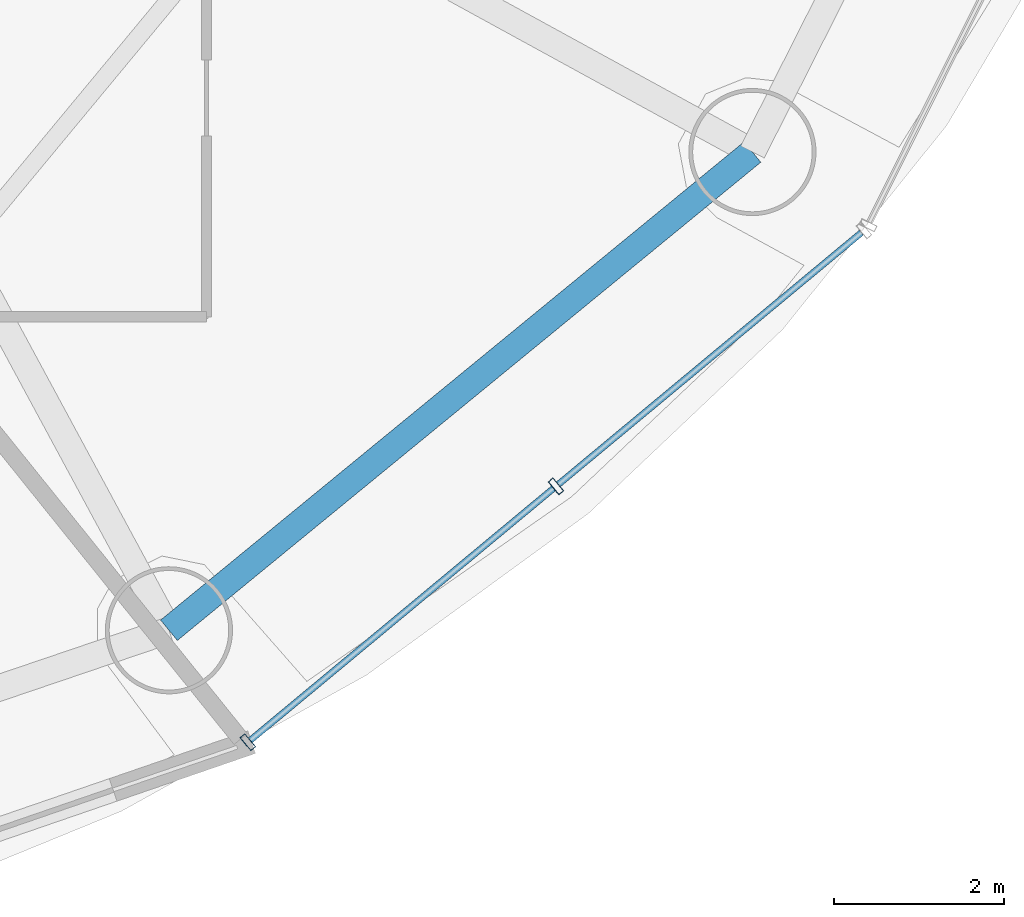
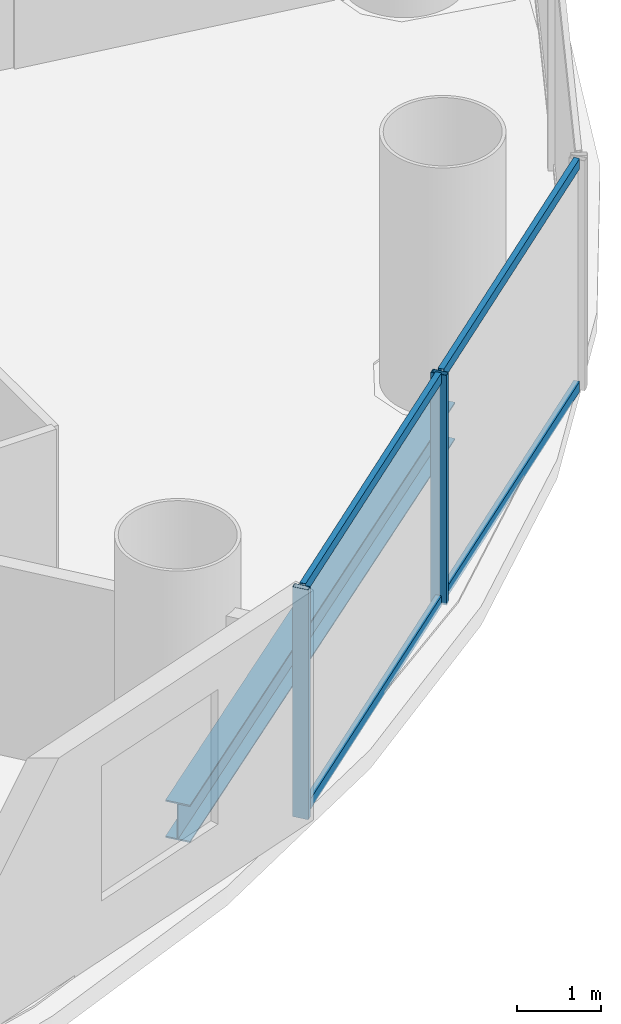
# One storey, part 11 of 29: 6 members, 1 beam, 1 element without a shape of its own.
"""IFC4 building model written with IfcOpenShell, lengths in metres."""

from ifc_helpers import new_model, si_unit, direction, frame, origin, origin_2d, place, context, subcontext, project, spatial, hollow_rectangle, i_section, extrude, source, transform, mapped, material, material_profile, profile_set, type_object, element, aggregate, save


model = new_model("IFC4")

# Units and contexts
model_context = context("Model", 3, precision=1e-05, world=origin(), true_north=direction((-0.2419218956, 0.970295726276)))
body_context = subcontext(model_context, "Body", "Model", "MODEL_VIEW")
ifc_project = project(units=[si_unit("LENGTHUNIT", "METRE"), si_unit("AREAUNIT", "SQUARE_METRE"), si_unit("VOLUMEUNIT", "CUBIC_METRE"), si_unit("PLANEANGLEUNIT", "RADIAN"), si_unit("MASSUNIT", "GRAM", prefix="KILO")], contexts=[model_context])

# Site, building, storey
site_placement = place(None, origin())
site = spatial("IfcSite", under=ifc_project, at=site_placement, CompositionType="ELEMENT")
building_placement = place(site_placement, origin())
building = spatial("IfcBuilding", under=site, at=building_placement, Name="Cobrevalo Terracotta Tower", CompositionType="ELEMENT")
storey_placement = place(building_placement, frame((0.0, 0.0, 123.0)))
storey = spatial("IfcBuildingStorey", under=building, at=storey_placement, Name="L32", CompositionType="ELEMENT", Elevation=123.0)

# Beam
ifc_material_1 = material(Name="Steel S355", Category="steel")
ifc_material_profile_1 = material_profile(ifc_material_1, i_section(OverallWidth=0.31201171875, OverallDepth=0.54296875, WebThickness=0.0126953125, FlangeThickness=0.020263671875, at=origin_2d()), Name="W 530x150")
ifc_profile_set_1 = profile_set([ifc_material_profile_1], Name="Steel S355")
beam_type = type_object("IfcBeamType", Name="Structural Spandrel W 530x150 (Steel S355)", PredefinedType="SPANDREL", material=ifc_profile_set_1)
beam_placement = place(storey_placement, frame((51.861572265625, 9.79638671875, -0.54638671875), z_axis=(0.773400923541, 0.633917196064, 0.0), x_axis=(-0.633917196064, 0.773400923541, 0.0)))
element("IfcBeam", 1, at=beam_placement, inside=storey, type_object=beam_type, Name="L32 perimeter ring spandrel 14", PredefinedType="SPANDREL", context=body_context, shape_type="SweptSolid", body=[
    extrude(i_section(OverallWidth=0.31201171875, OverallDepth=0.54296875, WebThickness=0.0126953125, FlangeThickness=0.020263671875, at=origin_2d()), origin(), (0.0, 0.0, 1.0), 8.900390625),
])

# Curtain wall, members
ifc_material_2 = material(Name="Anodized aluminium", Category="aluminium")
curtain_wall_type = type_object("IfcCurtainWallType", Name="Lower-tower unitised acoustic low-E curtain wall CW-U1", PredefinedType="NOTDEFINED", material=ifc_material_2)
curtain_wall_placement = place(storey_placement, origin())
curtain_wall = element("IfcCurtainWall", 2, at=curtain_wall_placement, inside=storey, type_object=curtain_wall_type, Name="L32 curtain wall CW-L32-S14", PredefinedType="NOTDEFINED")
ifc_material_profile_2 = material_profile(ifc_material_2, hollow_rectangle(XDim=0.074951171875, YDim=0.199951171875, WallThickness=0.0048828125, at=origin_2d()), Name="CWM 75x200")
ifc_profile_set_2 = profile_set([ifc_material_profile_2], Name="Anodized aluminium")
member_type_1 = type_object("IfcMemberType", Name="Lower/mid tower unitised mullion 75x200", PredefinedType="MULLION", material=ifc_profile_set_2)
shared_shape_1 = source(origin(), body_context, "Body", "SweptSolid", [
    extrude(hollow_rectangle(XDim=0.074951171875, YDim=0.199951171875, WallThickness=0.0048828125, at=origin_2d()), origin(), (0.0, 0.0, 1.0), 3.324951171875),
])
member_1_placement = place(storey_placement, frame((52.792236328125, 8.47509765625, 0.0), z_axis=(0.0, 0.0, 1.0), x_axis=(0.769243451658, 0.638955798222, 0.0)))
member_1 = element("IfcMember", 3, at=member_1_placement, type_object=member_type_1, Name="CW-L32-S14 vertical mullion 01", PredefinedType="MULLION", context=body_context, shape_type="MappedRepresentation", body=[
    mapped(shared_shape_1, transform((0.0, 0.0, 0.0), scale=1.0)),
])
member_2_placement = place(storey_placement, frame((56.4267578125, 11.493896484375, 0.0), z_axis=(0.0, 0.0, 1.0), x_axis=(0.769243451658, 0.638955798222, 0.0)))
member_2 = element("IfcMember", 4, at=member_2_placement, type_object=member_type_1, Name="CW-L32-S14 vertical mullion 02", PredefinedType="MULLION", context=body_context, shape_type="MappedRepresentation", body=[
    mapped(shared_shape_1, transform((0.0, 0.0, 0.0), scale=1.0)),
])
ifc_material_profile_3 = material_profile(ifc_material_2, hollow_rectangle(XDim=0.074951171875, YDim=0.14990234375, WallThickness=0.00439453125, at=origin_2d()), Name="CWT 75x150")
ifc_profile_set_3 = profile_set([ifc_material_profile_3], Name="Anodized aluminium")
member_type_2 = type_object("IfcMemberType", Name="Tower unitised aluminium transom 75x150", PredefinedType="USERDEFINED", material=ifc_profile_set_3)
shared_shape_2 = source(origin(), body_context, "Body", "SweptSolid", [
    extrude(hollow_rectangle(XDim=0.074951171875, YDim=0.14990234375, WallThickness=0.00439453125, at=origin_2d()), origin(), (0.0, 0.0, 1.0), 4.64501953125),
])
member_3_placement = place(storey_placement, frame((52.822998046875, 8.50048828125, 0.050048828125), z_axis=(0.769224156193, 0.638979027457, 0.0), x_axis=(-0.638979027457, 0.769224156193, 0.0)))
member_3 = element("IfcMember", 5, at=member_3_placement, type_object=member_type_2, Name="CW-L32-S14 transom B01-T1", ObjectType="TRANSOM", PredefinedType="USERDEFINED", context=body_context, shape_type="MappedRepresentation", body=[
    mapped(shared_shape_2, transform((0.0, 0.0, 0.0), scale=1.0)),
])
member_4_placement = place(storey_placement, frame((52.822998046875, 8.50048828125, 3.27490234375), z_axis=(0.769224156193, 0.638979027457, 0.0), x_axis=(-0.638979027457, 0.769224156193, 0.0)))
member_4 = element("IfcMember", 6, at=member_4_placement, type_object=member_type_2, Name="CW-L32-S14 transom B01-T2", ObjectType="TRANSOM", PredefinedType="USERDEFINED", context=body_context, shape_type="MappedRepresentation", body=[
    mapped(shared_shape_2, transform((0.0, 0.0, 0.0), scale=1.0)),
])
member_5_placement = place(storey_placement, frame((56.45751953125, 11.51953125, 0.050048828125), z_axis=(0.769224156193, 0.638979027457, 0.0), x_axis=(-0.638979027457, 0.769224156193, 0.0)))
member_5 = element("IfcMember", 7, at=member_5_placement, type_object=member_type_2, Name="CW-L32-S14 transom B02-T1", ObjectType="TRANSOM", PredefinedType="USERDEFINED", context=body_context, shape_type="MappedRepresentation", body=[
    mapped(shared_shape_2, transform((0.0, 0.0, 0.0), scale=1.0)),
])
member_6_placement = place(storey_placement, frame((56.45751953125, 11.51953125, 3.27490234375), z_axis=(0.769224156193, 0.638979027457, 0.0), x_axis=(-0.638979027457, 0.769224156193, 0.0)))
member_6 = element("IfcMember", 8, at=member_6_placement, type_object=member_type_2, Name="CW-L32-S14 transom B02-T2", ObjectType="TRANSOM", PredefinedType="USERDEFINED", context=body_context, shape_type="MappedRepresentation", body=[
    mapped(shared_shape_2, transform((0.0, 0.0, 0.0), scale=1.0)),
])
aggregate(curtain_wall, [member_1, member_2, member_3, member_4, member_5, member_6])

save(model, "model.ifc")
